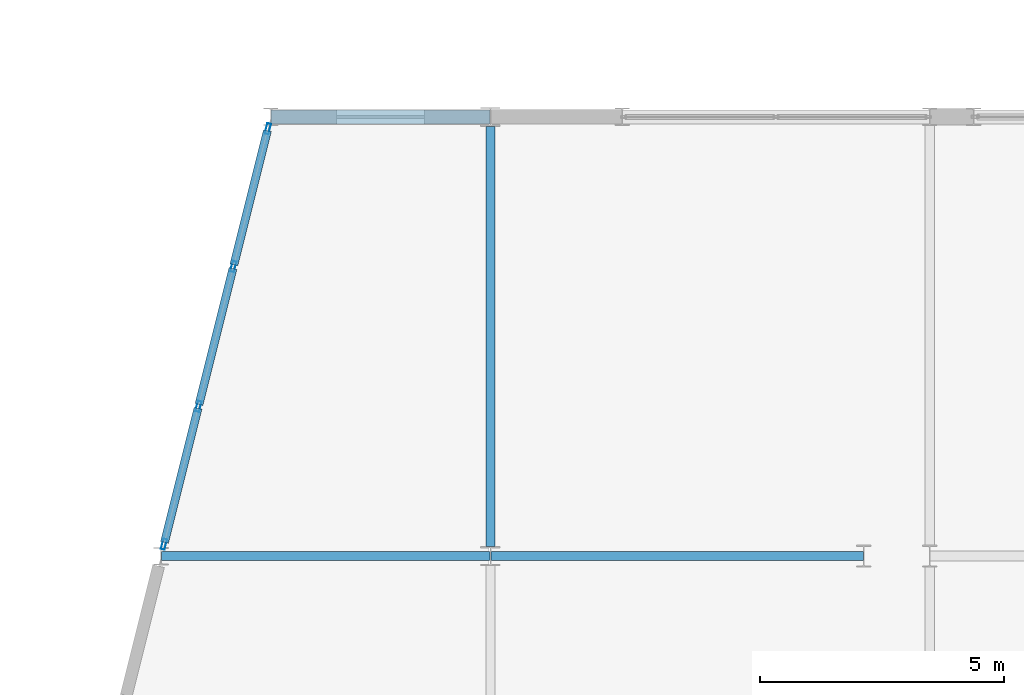
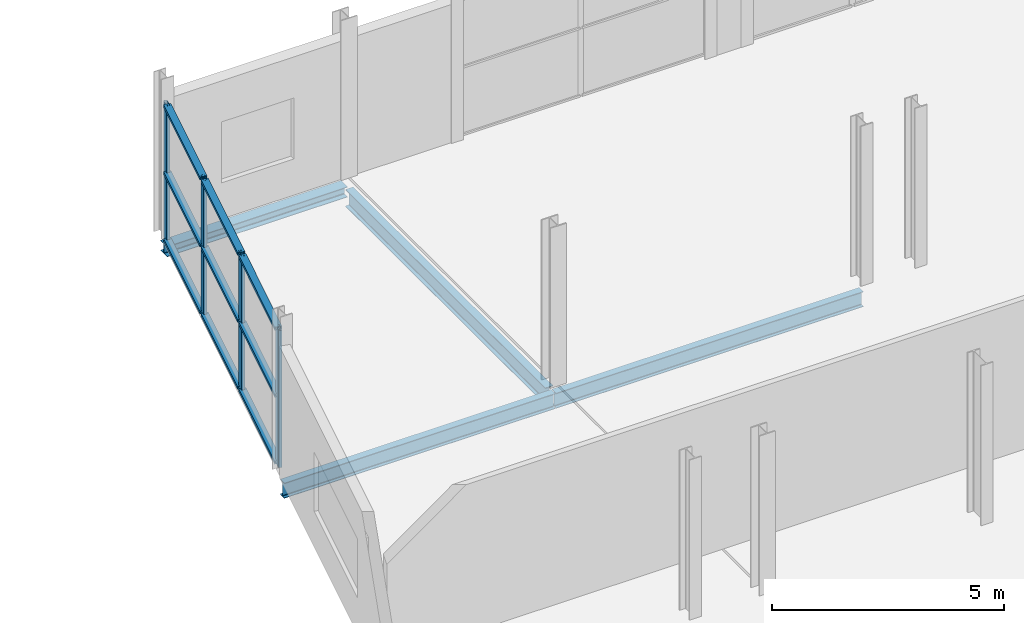
# One storey, part 65 of 103: 13 members, 4 beams, 1 element without a shape of its own.
"""IFC4 building model written with IfcOpenShell, lengths in metres."""

import ifcopenshell
import ifcopenshell.guid

model = None  # the IFC model being written
_history = None  # IfcOwnerHistory: only IFC2X3 demands one
_inside = {}  # id of a spatial element -> (the spatial element, [elements in it])
_under = {}  # id of a project, library or spatial element -> (it, [spatial elements below it])
_declared = {}  # id of a project -> (the project, [libraries it declares])
_typed = {}  # id of a type object -> (the type object, [elements of that type])
_made_of = {}  # id of a material, layer set ... -> (it, [elements and type objects made of it])


def new_model(schema):
    """Start an empty IFC model of exactly this schema.

    Asked for "IFC4X3", IfcOpenShell would pick the latest addendum, in which some entities
    have other attributes; the version numbers below select the first issue.
    IFC2X3 requires an IfcOwnerHistory on every rooted entity: one is made here for all.
    """
    global model, _history
    if schema == "IFC4X3":
        model = ifcopenshell.file(schema_version=(4, 3, 0, 0))
    else:
        model = ifcopenshell.file(schema=schema)
    _inside.clear()
    _under.clear()
    _declared.clear()
    _typed.clear()
    _made_of.clear()
    _history = None
    if model.schema == "IFC2X3":
        org = make("IfcOrganization", Name="unknown")
        user = make(
            "IfcPersonAndOrganization",
            ThePerson=make("IfcPerson", FamilyName="unknown"),
            TheOrganization=org,
        )
        app = make(
            "IfcApplication",
            ApplicationDeveloper=org,
            Version="unknown",
            ApplicationFullName="unknown",
            ApplicationIdentifier="unknown",
        )
        _history = make(
            "IfcOwnerHistory",
            OwningUser=user,
            OwningApplication=app,
            ChangeAction="ADDED",
            CreationDate=0,
        )
    return model


def make(cls, **values):
    """One entity of the class cls with the attributes given. An attribute that is None is left unset."""
    return model.create_entity(
        cls, **{name: value for name, value in values.items() if value is not None}
    )


def rooted(cls, **values):
    """An entity with a GlobalId (a new one), such as an element, a storey or a relation."""
    return make(cls, GlobalId=ifcopenshell.guid.new(), OwnerHistory=_history, **values)


def si_unit(unit_type, name, prefix=None):
    """IfcSIUnit, for example si_unit("LENGTHUNIT", "METRE", prefix="MILLI")."""
    return make("IfcSIUnit", UnitType=unit_type, Prefix=prefix, Name=name)


def assignment(units):
    """IfcUnitAssignment: the units of a project."""
    return None if units is None else make("IfcUnitAssignment", Units=units)


def point(xyz):
    """IfcCartesianPoint."""
    return None if xyz is None else make("IfcCartesianPoint", Coordinates=xyz)


def direction(xyz):
    """IfcDirection."""
    return None if xyz is None else make("IfcDirection", DirectionRatios=xyz)


def frame(location, z_axis=None, x_axis=None):
    """IfcAxis2Placement3D, a coordinate frame: its origin and axes. An axis left out is left unset."""
    return make(
        "IfcAxis2Placement3D",
        Location=point(location),
        Axis=direction(z_axis),
        RefDirection=direction(x_axis),
    )


def frame_2d(location, x_axis=None):
    """IfcAxis2Placement2D, a coordinate frame in the plane: its origin and x axis."""
    return make(
        "IfcAxis2Placement2D", Location=point(location), RefDirection=direction(x_axis)
    )


def origin():
    """The frame at (0, 0, 0) with its axes left unset."""
    return frame((0.0, 0.0, 0.0))


def origin_2d():
    """The frame at (0, 0) in the plane with its x axis left unset."""
    return frame_2d((0.0, 0.0))


def place(relative_to, where):
    """IfcLocalPlacement: puts the frame where relative to a parent placement (None: the world)."""
    return make(
        "IfcLocalPlacement", PlacementRelTo=relative_to, RelativePlacement=where
    )


def context(
    kind, dimensions, precision=None, world=None, true_north=None, identifier=None
):
    """IfcGeometricRepresentationContext, for example the 3D "Model" context."""
    return make(
        "IfcGeometricRepresentationContext",
        ContextIdentifier=identifier,
        ContextType=kind,
        CoordinateSpaceDimension=dimensions,
        Precision=precision,
        WorldCoordinateSystem=world,
        TrueNorth=true_north,
    )


def subcontext(parent, identifier, kind, view, scale=None):
    """IfcGeometricRepresentationSubContext, for example "Body" below "Model"."""
    return make(
        "IfcGeometricRepresentationSubContext",
        ContextIdentifier=identifier,
        ContextType=kind,
        ParentContext=parent,
        TargetScale=scale,
        TargetView=view,
    )


def project(units=None, contexts=None):
    """IfcProject with its units and contexts."""
    return rooted(
        "IfcProject",
        Name="project",
        RepresentationContexts=contexts,
        UnitsInContext=assignment(units),
    )


def spatial(cls, under=None, at=None, **own):
    """A site, building, storey or space (cls), placed at a placement, below another one or the project."""
    s = rooted(cls, ObjectPlacement=at, **own)
    if under is not None:
        _under.setdefault(under.id(), (under, []))[1].append(s)
    return s


def profile(cls, at=None, kind="AREA", **sizes):
    """A parametric profile (cls). Its sizes go by their IFC names, for example OverallWidth=200.0."""
    return make(cls, ProfileType=kind, Position=at, **sizes)


def hollow_rectangle(**sizes):
    """IfcRectangleHollowProfileDef."""
    return profile("IfcRectangleHollowProfileDef", **sizes)


def i_section(**sizes):
    """IfcIShapeProfileDef."""
    return profile("IfcIShapeProfileDef", **sizes)


def extrude(swept, where, along, depth):
    """IfcExtrudedAreaSolid: the profile swept, set in the frame where, extruded along a direction by depth."""
    return make(
        "IfcExtrudedAreaSolid",
        SweptArea=swept,
        Position=where,
        ExtrudedDirection=direction(along),
        Depth=depth,
    )


def shape(context_of_items, identifier, shape_type, items):
    """IfcShapeRepresentation: the items that make up one representation, for example the "Body"."""
    return make(
        "IfcShapeRepresentation",
        ContextOfItems=context_of_items,
        RepresentationIdentifier=identifier,
        RepresentationType=shape_type,
        Items=items,
    )


def material(Name=None, Category=None):
    """IfcMaterial."""
    return make("IfcMaterial", Name=Name, Category=Category)


def layer(
    of_material, thickness, ventilated=None, Name=None, Category=None, Priority=None
):
    """IfcMaterialLayer: one layer of a wall or slab, of a material (None: an air gap)."""
    return make(
        "IfcMaterialLayer",
        Material=of_material,
        LayerThickness=thickness,
        IsVentilated=ventilated,
        Name=Name,
        Category=Category,
        Priority=Priority,
    )


def layer_set(layers, Name=None):
    """IfcMaterialLayerSet."""
    return make("IfcMaterialLayerSet", MaterialLayers=layers, LayerSetName=Name)


def material_profile(
    of_material, cross_section, Name=None, Category=None, Priority=None
):
    """IfcMaterialProfile: a cross section and its material."""
    return make(
        "IfcMaterialProfile",
        Name=Name,
        Material=of_material,
        Profile=cross_section,
        Priority=Priority,
        Category=Category,
    )


def profile_set(profiles, Name=None, composite=None):
    """IfcMaterialProfileSet."""
    return make(
        "IfcMaterialProfileSet",
        Name=Name,
        MaterialProfiles=profiles,
        CompositeProfile=composite,
    )


def made_of(thing, what):
    """Note that an element or type object is made of a material, layer set ...; save() writes the relation."""
    if what is not None:
        _made_of.setdefault(what.id(), (what, []))[1].append(thing)
    return thing


def type_object(cls, material=None, **own):
    """A type object (cls), such as IfcWallType, which elements share."""
    return made_of(rooted(cls, **own), material)


def element(
    cls,
    number,
    at=None,
    inside=None,
    cuts=None,
    type_object=None,
    material=None,
    context=None,
    identifier="Body",
    shape_type=None,
    held_by="IfcProductDefinitionShape",
    body=None,
    shapes=None,
    **own,
):
    """One element of the class cls, such as IfcWall. Its Tag is "e" and its number.

    at: its placement. inside: the storey or other place that contains it. cuts: it is an
    opening in that element (IfcRelVoidsElement). A single representation is given by context,
    identifier, shape_type and body (its items); several are given by shapes. held_by: the class
    of the entity that holds the representations. save() writes the other relations.
    """
    e = rooted(cls, Tag="e%d" % number, ObjectPlacement=at, **own)
    if body is not None:
        shapes = [shape(context, identifier, shape_type, body)]
    if shapes is not None:
        e.Representation = make(held_by, Representations=shapes)
    if inside is not None:
        _inside.setdefault(inside.id(), (inside, []))[1].append(e)
    if cuts is not None:
        rooted(
            "IfcRelVoidsElement", RelatingBuildingElement=cuts, RelatedOpeningElement=e
        )
    if type_object is not None:
        _typed.setdefault(type_object.id(), (type_object, []))[1].append(e)
    return made_of(e, material)


def aggregate(whole, parts):
    """IfcRelAggregates: a whole, such as a stair, and the parts it consists of."""
    return rooted("IfcRelAggregates", RelatingObject=whole, RelatedObjects=parts)


def save(model, path):
    """Write the relations noted so far, then the file.

    IfcRelAggregates (storeys below a building ...), IfcRelContainedInSpatialStructure (elements
    in a storey), IfcRelDefinesByType, IfcRelAssociatesMaterial and IfcRelDeclares: one each for
    every whole, place, type object, material and project.
    """
    for whole, parts in _under.values():
        aggregate(whole, parts)
    for where, things in _inside.values():
        rooted(
            "IfcRelContainedInSpatialStructure",
            RelatedElements=things,
            RelatingStructure=where,
        )
    for kind, things in _typed.values():
        rooted("IfcRelDefinesByType", RelatedObjects=things, RelatingType=kind)
    for what, things in _made_of.values():
        rooted("IfcRelAssociatesMaterial", RelatedObjects=things, RelatingMaterial=what)
    for by, libraries in _declared.values():
        rooted("IfcRelDeclares", RelatingContext=by, RelatedDefinitions=libraries)
    model.write(path)


model = new_model("IFC4")

# Units and contexts
model_context = context("Model", 3, precision=1e-05, world=origin(), true_north=direction((0.0, 1.0)))
body_context = subcontext(model_context, "Body", "Model", "MODEL_VIEW")
ifc_project = project(units=[si_unit("LENGTHUNIT", "METRE"), si_unit("AREAUNIT", "SQUARE_METRE"), si_unit("VOLUMEUNIT", "CUBIC_METRE"), si_unit("PLANEANGLEUNIT", "RADIAN"), si_unit("MASSUNIT", "GRAM", prefix="KILO")], contexts=[model_context])

# Site, building, storey
site_placement = place(None, origin())
site = spatial("IfcSite", under=ifc_project, at=site_placement, CompositionType="ELEMENT")
building_placement = place(site_placement, origin())
building = spatial("IfcBuilding", under=site, at=building_placement, Name="Deido Ridge Mobility Hub", CompositionType="ELEMENT")
storey_placement = place(building_placement, frame((0.0, 0.0, 12.60009765625)))
storey = spatial("IfcBuildingStorey", under=building, at=storey_placement, Name="L03", CompositionType="ELEMENT", Elevation=12.60009765625)

# Beams
ifc_material_1 = material(Name="Steel S355J2 EN 10025-2", Category="steel")
ifc_material_profile_1 = material_profile(ifc_material_1, i_section(OverallWidth=0.179931640625, OverallDepth=0.39990234375, WebThickness=0.008544921875, FlangeThickness=0.013427734375, FilletRadius=0.02099609375, at=origin_2d()), Name="IPE 400")
ifc_profile_set_1 = profile_set([ifc_material_profile_1], Name="Steel S355J2 EN 10025-2")
beam_type_1 = type_object("IfcBeamType", Name="BM-IPE400", PredefinedType="BEAM", material=ifc_profile_set_1)
beam_1_placement = place(storey_placement, frame((137.256103515625, 63.0, -0.465087890625), z_axis=(1.0, 0.0, 0.0), x_axis=(0.0, 1.0, 0.0)))
element("IfcBeam", 1, at=beam_1_placement, inside=storey, type_object=beam_type_1, Name="Floor beam B5", PredefinedType="BEAM", context=body_context, shape_type="SweptSolid", body=[
    extrude(i_section(OverallWidth=0.179931640625, OverallDepth=0.39990234375, WebThickness=0.008544921875, FlangeThickness=0.013427734375, FilletRadius=0.02099609375, at=origin_2d()), origin(), (0.0, 0.0, 1.0), 6.735107421875),
])
beam_2_placement = place(storey_placement, frame((144.0087890625, 63.0, -0.465087890625), z_axis=(1.0, 0.0, 0.0), x_axis=(0.0, 1.0, 0.0)))
element("IfcBeam", 2, at=beam_2_placement, inside=storey, type_object=beam_type_1, Name="Floor beam B5", PredefinedType="BEAM", context=body_context, shape_type="SweptSolid", body=[
    extrude(i_section(OverallWidth=0.179931640625, OverallDepth=0.39990234375, WebThickness=0.008544921875, FlangeThickness=0.013427734375, FilletRadius=0.02099609375, at=origin_2d()), origin(), (0.0, 0.0, 1.0), 7.63427734375),
])
ifc_material_profile_2 = material_profile(ifc_material_1, i_section(OverallWidth=0.18994140625, OverallDepth=0.449951171875, WebThickness=0.009521484375, FlangeThickness=0.0146484375, FilletRadius=0.02099609375, at=origin_2d()), Name="IPE 450")
ifc_profile_set_2 = profile_set([ifc_material_profile_2], Name="Steel S355J2 EN 10025-2")
beam_type_2 = type_object("IfcBeamType", Name="BM-IPE450", PredefinedType="BEAM", material=ifc_profile_set_2)
beam_3_placement = place(storey_placement, frame((144.0, 63.196533203125, -0.489990234375), z_axis=(0.0, 1.0, 0.0), x_axis=(-1.0, 0.0, 0.0)))
element("IfcBeam", 3, at=beam_3_placement, inside=storey, type_object=beam_type_2, Name="Floor beam B4", PredefinedType="BEAM", context=body_context, shape_type="SweptSolid", body=[
    extrude(i_section(OverallWidth=0.18994140625, OverallDepth=0.449951171875, WebThickness=0.009521484375, FlangeThickness=0.0146484375, FilletRadius=0.02099609375, at=origin_2d()), origin(), (0.0, 0.0, 1.0), 8.60693359375),
])

# Curtain wall, members
ifc_material_2 = material(Name="Anodised aluminium EN AW-6063 T6", Category="aluminium")
ifc_layer = layer(ifc_material_2, 0.27001953125, Name="Anodised aluminium EN AW-6063 T6")
ifc_layer_set = layer_set([ifc_layer], Name="Anodised aluminium EN AW-6063 T6")
curtain_wall_type = type_object("IfcCurtainWallType", Name="CW-UF-8", PredefinedType="USERDEFINED", material=ifc_layer_set)
curtain_wall_placement = place(storey_placement, origin())
curtain_wall = element("IfcCurtainWall", 4, at=curtain_wall_placement, inside=storey, type_object=curtain_wall_type, Name="Unitised curtain wall CW8", ObjectType="UNITISED FACADE", PredefinedType="USERDEFINED")
ifc_material_profile_3 = material_profile(ifc_material_2, hollow_rectangle(XDim=0.080078125, YDim=0.219970703125, WallThickness=0.00390625, at=origin_2d()), Name="RHS 80x220x4")
ifc_profile_set_3 = profile_set([ifc_material_profile_3], Name="Anodised aluminium EN AW-6063 T6")
member_type_1 = type_object("IfcMemberType", Name="MEM-MUL-80X220", PredefinedType="MULLION", material=ifc_profile_set_3)
member_1_placement = place(storey_placement, frame((137.310791015625, 63.243408203125, 0.0), z_axis=(0.0, 0.0, 1.0), x_axis=(-0.970143828731, 0.242530310632, 0.0)))
member_1 = element("IfcMember", 5, at=member_1_placement, type_object=member_type_1, Name="CW8 mullion 1", PredefinedType="MULLION", context=body_context, shape_type="SweptSolid", body=[
    extrude(hollow_rectangle(XDim=0.080078125, YDim=0.219970703125, WallThickness=0.00390625, at=origin_2d()), origin(), (0.0, 0.0, 1.0), 3.599853515625),
])
member_2_placement = place(storey_placement, frame((138.01708984375, 66.068115234375, 0.0), z_axis=(0.0, 0.0, 1.0), x_axis=(-0.970143828731, 0.242530310632, 0.0)))
member_2 = element("IfcMember", 6, at=member_2_placement, type_object=member_type_1, Name="CW8 mullion 2", PredefinedType="MULLION", context=body_context, shape_type="SweptSolid", body=[
    extrude(hollow_rectangle(XDim=0.080078125, YDim=0.219970703125, WallThickness=0.00390625, at=origin_2d()), origin(), (0.0, 0.0, 1.0), 3.599853515625),
])
member_3_placement = place(storey_placement, frame((138.73291015625, 68.931884765625, 0.0), z_axis=(0.0, 0.0, 1.0), x_axis=(-0.970143828731, 0.242530310632, 0.0)))
member_3 = element("IfcMember", 7, at=member_3_placement, type_object=member_type_1, Name="CW8 mullion 3", PredefinedType="MULLION", context=body_context, shape_type="SweptSolid", body=[
    extrude(hollow_rectangle(XDim=0.080078125, YDim=0.219970703125, WallThickness=0.00390625, at=origin_2d()), origin(), (0.0, 0.0, 1.0), 3.599853515625),
])
member_4_placement = place(storey_placement, frame((139.439208984375, 71.756591796875, 0.0), z_axis=(0.0, 0.0, 1.0), x_axis=(-0.970143828731, 0.242530310632, 0.0)))
member_4 = element("IfcMember", 8, at=member_4_placement, type_object=member_type_1, Name="CW8 mullion 4", PredefinedType="MULLION", context=body_context, shape_type="SweptSolid", body=[
    extrude(hollow_rectangle(XDim=0.080078125, YDim=0.219970703125, WallThickness=0.00390625, at=origin_2d()), origin(), (0.0, 0.0, 1.0), 3.599853515625),
])
ifc_material_profile_4 = material_profile(ifc_material_2, hollow_rectangle(XDim=0.1650390625, YDim=0.080078125, WallThickness=0.00390625, at=origin_2d()), Name="RHS 165x80x4")
ifc_profile_set_4 = profile_set([ifc_material_profile_4], Name="Anodised aluminium EN AW-6063 T6")
member_type_2 = type_object("IfcMemberType", Name="MEM-TRN-165X80", PredefinedType="USERDEFINED", material=ifc_profile_set_4)
member_5_placement = place(storey_placement, frame((137.320556640625, 63.2822265625, 0.039794921875), z_axis=(0.242515339725, 0.970147571248, 0.0), x_axis=(-0.970147571248, 0.242515339725, 0.0)))
member_5 = element("IfcMember", 9, at=member_5_placement, type_object=member_type_2, Name="CW8 transom 1.1", ObjectType="TRANSOM", PredefinedType="USERDEFINED", context=body_context, shape_type="SweptSolid", body=[
    extrude(hollow_rectangle(XDim=0.1650390625, YDim=0.080078125, WallThickness=0.00390625, at=origin_2d()), origin(), (0.0, 0.0, 1.0), 2.831787109375),
])
member_6_placement = place(storey_placement, frame((137.320556640625, 63.2822265625, 1.7998046875), z_axis=(0.242515339725, 0.970147571248, 0.0), x_axis=(-0.970147571248, 0.242515339725, 0.0)))
member_6 = element("IfcMember", 10, at=member_6_placement, type_object=member_type_2, Name="CW8 transom 1.2", ObjectType="TRANSOM", PredefinedType="USERDEFINED", context=body_context, shape_type="SweptSolid", body=[
    extrude(hollow_rectangle(XDim=0.1650390625, YDim=0.080078125, WallThickness=0.00390625, at=origin_2d()), origin(), (0.0, 0.0, 1.0), 2.831787109375),
])
member_7_placement = place(storey_placement, frame((137.320556640625, 63.2822265625, 3.559814453125), z_axis=(0.242515339725, 0.970147571248, 0.0), x_axis=(-0.970147571248, 0.242515339725, 0.0)))
member_7 = element("IfcMember", 11, at=member_7_placement, type_object=member_type_2, Name="CW8 transom 1.3", ObjectType="TRANSOM", PredefinedType="USERDEFINED", context=body_context, shape_type="SweptSolid", body=[
    extrude(hollow_rectangle(XDim=0.1650390625, YDim=0.080078125, WallThickness=0.00390625, at=origin_2d()), origin(), (0.0, 0.0, 1.0), 2.831787109375),
])
member_8_placement = place(storey_placement, frame((138.02685546875, 66.10693359375, 0.039794921875), z_axis=(0.242455612459, 0.970162499784, 0.0), x_axis=(-0.970162499784, 0.242455612459, 0.0)))
member_8 = element("IfcMember", 12, at=member_8_placement, type_object=member_type_2, Name="CW8 transom 2.1", ObjectType="TRANSOM", PredefinedType="USERDEFINED", context=body_context, shape_type="SweptSolid", body=[
    extrude(hollow_rectangle(XDim=0.1650390625, YDim=0.080078125, WallThickness=0.00390625, at=origin_2d()), origin(), (0.0, 0.0, 1.0), 2.871826171875),
])
member_9_placement = place(storey_placement, frame((138.02685546875, 66.10693359375, 1.7998046875), z_axis=(0.242455612459, 0.970162499784, 0.0), x_axis=(-0.970162499784, 0.242455612459, 0.0)))
member_9 = element("IfcMember", 13, at=member_9_placement, type_object=member_type_2, Name="CW8 transom 2.2", ObjectType="TRANSOM", PredefinedType="USERDEFINED", context=body_context, shape_type="SweptSolid", body=[
    extrude(hollow_rectangle(XDim=0.1650390625, YDim=0.080078125, WallThickness=0.00390625, at=origin_2d()), origin(), (0.0, 0.0, 1.0), 2.871826171875),
])
member_10_placement = place(storey_placement, frame((138.02685546875, 66.10693359375, 3.559814453125), z_axis=(0.242455612459, 0.970162499784, 0.0), x_axis=(-0.970162499784, 0.242455612459, 0.0)))
member_10 = element("IfcMember", 14, at=member_10_placement, type_object=member_type_2, Name="CW8 transom 2.3", ObjectType="TRANSOM", PredefinedType="USERDEFINED", context=body_context, shape_type="SweptSolid", body=[
    extrude(hollow_rectangle(XDim=0.1650390625, YDim=0.080078125, WallThickness=0.00390625, at=origin_2d()), origin(), (0.0, 0.0, 1.0), 2.871826171875),
])
member_11_placement = place(storey_placement, frame((138.74267578125, 68.970458984375, 0.039794921875), z_axis=(0.242515339725, 0.970147571248, 0.0), x_axis=(-0.970147571248, 0.242515339725, 0.0)))
member_11 = element("IfcMember", 15, at=member_11_placement, type_object=member_type_2, Name="CW8 transom 3.1", ObjectType="TRANSOM", PredefinedType="USERDEFINED", context=body_context, shape_type="SweptSolid", body=[
    extrude(hollow_rectangle(XDim=0.1650390625, YDim=0.080078125, WallThickness=0.00390625, at=origin_2d()), origin(), (0.0, 0.0, 1.0), 2.831787109375),
])
member_12_placement = place(storey_placement, frame((138.74267578125, 68.970458984375, 1.7998046875), z_axis=(0.242515339725, 0.970147571248, 0.0), x_axis=(-0.970147571248, 0.242515339725, 0.0)))
member_12 = element("IfcMember", 16, at=member_12_placement, type_object=member_type_2, Name="CW8 transom 3.2", ObjectType="TRANSOM", PredefinedType="USERDEFINED", context=body_context, shape_type="SweptSolid", body=[
    extrude(hollow_rectangle(XDim=0.1650390625, YDim=0.080078125, WallThickness=0.00390625, at=origin_2d()), origin(), (0.0, 0.0, 1.0), 2.831787109375),
])
member_13_placement = place(storey_placement, frame((138.74267578125, 68.970458984375, 3.559814453125), z_axis=(0.242515339725, 0.970147571248, 0.0), x_axis=(-0.970147571248, 0.242515339725, 0.0)))
member_13 = element("IfcMember", 17, at=member_13_placement, type_object=member_type_2, Name="CW8 transom 3.3", ObjectType="TRANSOM", PredefinedType="USERDEFINED", context=body_context, shape_type="SweptSolid", body=[
    extrude(hollow_rectangle(XDim=0.1650390625, YDim=0.080078125, WallThickness=0.00390625, at=origin_2d()), origin(), (0.0, 0.0, 1.0), 2.831787109375),
])
aggregate(curtain_wall, [member_1, member_2, member_3, member_4, member_5, member_6, member_7, member_8, member_9, member_10, member_11, member_12, member_13])

# Beam
ifc_material_profile_5 = material_profile(ifc_material_1, i_section(OverallWidth=0.280029296875, OverallDepth=0.27001953125, WebThickness=0.008056640625, FlangeThickness=0.012939453125, FilletRadius=0.02392578125, at=origin_2d()), Name="HEA 280")
ifc_profile_set_5 = profile_set([ifc_material_profile_5], Name="Steel S355J2 EN 10025-2")
beam_type_3 = type_object("IfcBeamType", Name="SPD-HEA280", PredefinedType="SPANDREL", material=ifc_profile_set_5)
beam_4_placement = place(storey_placement, frame((139.506103515625, 72.0, -0.400146484375), z_axis=(1.0, 0.0, 0.0), x_axis=(0.0, 1.0, 0.0)))
element("IfcBeam", 18, at=beam_4_placement, inside=storey, type_object=beam_type_3, Name="Floor beam SP2", PredefinedType="SPANDREL", context=body_context, shape_type="SweptSolid", body=[
    extrude(i_section(OverallWidth=0.280029296875, OverallDepth=0.27001953125, WebThickness=0.008056640625, FlangeThickness=0.012939453125, FilletRadius=0.02392578125, at=origin_2d()), origin(), (0.0, 0.0, 1.0), 4.485107421875),
])

save(model, "model.ifc")
